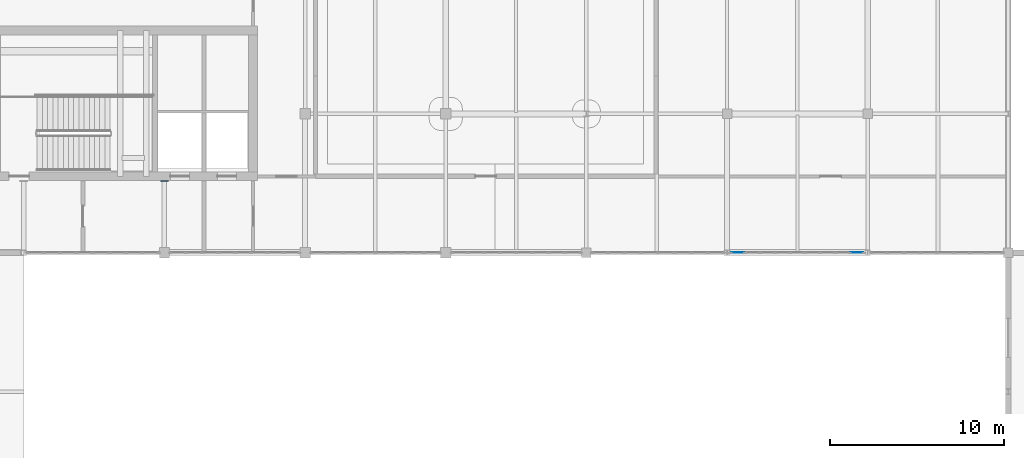
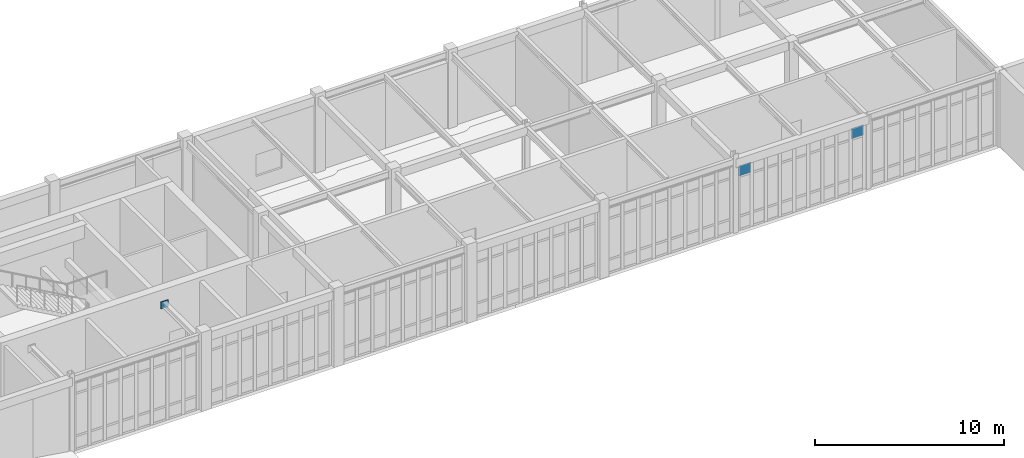
# One storey, part 58 of 70: 3 plates, 1 element without a shape of its own.
"""IFC4 building model written with IfcOpenShell, lengths in metres."""

import ifcopenshell
import ifcopenshell.guid

model = None  # the IFC model being written
_history = None  # IfcOwnerHistory: only IFC2X3 demands one
_inside = {}  # id of a spatial element -> (the spatial element, [elements in it])
_under = {}  # id of a project, library or spatial element -> (it, [spatial elements below it])
_declared = {}  # id of a project -> (the project, [libraries it declares])
_typed = {}  # id of a type object -> (the type object, [elements of that type])
_made_of = {}  # id of a material, layer set ... -> (it, [elements and type objects made of it])


def new_model(schema):
    """Start an empty IFC model of exactly this schema.

    Asked for "IFC4X3", IfcOpenShell would pick the latest addendum, in which some entities
    have other attributes; the version numbers below select the first issue.
    IFC2X3 requires an IfcOwnerHistory on every rooted entity: one is made here for all.
    """
    global model, _history
    if schema == "IFC4X3":
        model = ifcopenshell.file(schema_version=(4, 3, 0, 0))
    else:
        model = ifcopenshell.file(schema=schema)
    _inside.clear()
    _under.clear()
    _declared.clear()
    _typed.clear()
    _made_of.clear()
    _history = None
    if model.schema == "IFC2X3":
        org = make("IfcOrganization", Name="unknown")
        user = make(
            "IfcPersonAndOrganization",
            ThePerson=make("IfcPerson", FamilyName="unknown"),
            TheOrganization=org,
        )
        app = make(
            "IfcApplication",
            ApplicationDeveloper=org,
            Version="unknown",
            ApplicationFullName="unknown",
            ApplicationIdentifier="unknown",
        )
        _history = make(
            "IfcOwnerHistory",
            OwningUser=user,
            OwningApplication=app,
            ChangeAction="ADDED",
            CreationDate=0,
        )
    return model


def make(cls, **values):
    """One entity of the class cls with the attributes given. An attribute that is None is left unset."""
    return model.create_entity(
        cls, **{name: value for name, value in values.items() if value is not None}
    )


def rooted(cls, **values):
    """An entity with a GlobalId (a new one), such as an element, a storey or a relation."""
    return make(cls, GlobalId=ifcopenshell.guid.new(), OwnerHistory=_history, **values)


def si_unit(unit_type, name, prefix=None):
    """IfcSIUnit, for example si_unit("LENGTHUNIT", "METRE", prefix="MILLI")."""
    return make("IfcSIUnit", UnitType=unit_type, Prefix=prefix, Name=name)


def assignment(units):
    """IfcUnitAssignment: the units of a project."""
    return None if units is None else make("IfcUnitAssignment", Units=units)


def point(xyz):
    """IfcCartesianPoint."""
    return None if xyz is None else make("IfcCartesianPoint", Coordinates=xyz)


def direction(xyz):
    """IfcDirection."""
    return None if xyz is None else make("IfcDirection", DirectionRatios=xyz)


def frame(location, z_axis=None, x_axis=None):
    """IfcAxis2Placement3D, a coordinate frame: its origin and axes. An axis left out is left unset."""
    return make(
        "IfcAxis2Placement3D",
        Location=point(location),
        Axis=direction(z_axis),
        RefDirection=direction(x_axis),
    )


def frame_2d(location, x_axis=None):
    """IfcAxis2Placement2D, a coordinate frame in the plane: its origin and x axis."""
    return make(
        "IfcAxis2Placement2D", Location=point(location), RefDirection=direction(x_axis)
    )


def origin():
    """The frame at (0, 0, 0) with its axes left unset."""
    return frame((0.0, 0.0, 0.0))


def origin_2d():
    """The frame at (0, 0) in the plane with its x axis left unset."""
    return frame_2d((0.0, 0.0))


def place(relative_to, where):
    """IfcLocalPlacement: puts the frame where relative to a parent placement (None: the world)."""
    return make(
        "IfcLocalPlacement", PlacementRelTo=relative_to, RelativePlacement=where
    )


def context(
    kind, dimensions, precision=None, world=None, true_north=None, identifier=None
):
    """IfcGeometricRepresentationContext, for example the 3D "Model" context."""
    return make(
        "IfcGeometricRepresentationContext",
        ContextIdentifier=identifier,
        ContextType=kind,
        CoordinateSpaceDimension=dimensions,
        Precision=precision,
        WorldCoordinateSystem=world,
        TrueNorth=true_north,
    )


def subcontext(parent, identifier, kind, view, scale=None):
    """IfcGeometricRepresentationSubContext, for example "Body" below "Model"."""
    return make(
        "IfcGeometricRepresentationSubContext",
        ContextIdentifier=identifier,
        ContextType=kind,
        ParentContext=parent,
        TargetScale=scale,
        TargetView=view,
    )


def project(units=None, contexts=None):
    """IfcProject with its units and contexts."""
    return rooted(
        "IfcProject",
        Name="project",
        RepresentationContexts=contexts,
        UnitsInContext=assignment(units),
    )


def spatial(cls, under=None, at=None, **own):
    """A site, building, storey or space (cls), placed at a placement, below another one or the project."""
    s = rooted(cls, ObjectPlacement=at, **own)
    if under is not None:
        _under.setdefault(under.id(), (under, []))[1].append(s)
    return s


def profile(cls, at=None, kind="AREA", **sizes):
    """A parametric profile (cls). Its sizes go by their IFC names, for example OverallWidth=200.0."""
    return make(cls, ProfileType=kind, Position=at, **sizes)


def rectangle(**sizes):
    """IfcRectangleProfileDef."""
    return profile("IfcRectangleProfileDef", **sizes)


def extrude(swept, where, along, depth):
    """IfcExtrudedAreaSolid: the profile swept, set in the frame where, extruded along a direction by depth."""
    return make(
        "IfcExtrudedAreaSolid",
        SweptArea=swept,
        Position=where,
        ExtrudedDirection=direction(along),
        Depth=depth,
    )


def shape(context_of_items, identifier, shape_type, items):
    """IfcShapeRepresentation: the items that make up one representation, for example the "Body"."""
    return make(
        "IfcShapeRepresentation",
        ContextOfItems=context_of_items,
        RepresentationIdentifier=identifier,
        RepresentationType=shape_type,
        Items=items,
    )


def material(Name=None, Category=None):
    """IfcMaterial."""
    return make("IfcMaterial", Name=Name, Category=Category)


def layer(
    of_material, thickness, ventilated=None, Name=None, Category=None, Priority=None
):
    """IfcMaterialLayer: one layer of a wall or slab, of a material (None: an air gap)."""
    return make(
        "IfcMaterialLayer",
        Material=of_material,
        LayerThickness=thickness,
        IsVentilated=ventilated,
        Name=Name,
        Category=Category,
        Priority=Priority,
    )


def layer_set(layers, Name=None):
    """IfcMaterialLayerSet."""
    return make("IfcMaterialLayerSet", MaterialLayers=layers, LayerSetName=Name)


def made_of(thing, what):
    """Note that an element or type object is made of a material, layer set ...; save() writes the relation."""
    if what is not None:
        _made_of.setdefault(what.id(), (what, []))[1].append(thing)
    return thing


def type_object(cls, material=None, **own):
    """A type object (cls), such as IfcWallType, which elements share."""
    return made_of(rooted(cls, **own), material)


def element(
    cls,
    number,
    at=None,
    inside=None,
    cuts=None,
    type_object=None,
    material=None,
    context=None,
    identifier="Body",
    shape_type=None,
    held_by="IfcProductDefinitionShape",
    body=None,
    shapes=None,
    **own,
):
    """One element of the class cls, such as IfcWall. Its Tag is "e" and its number.

    at: its placement. inside: the storey or other place that contains it. cuts: it is an
    opening in that element (IfcRelVoidsElement). A single representation is given by context,
    identifier, shape_type and body (its items); several are given by shapes. held_by: the class
    of the entity that holds the representations. save() writes the other relations.
    """
    e = rooted(cls, Tag="e%d" % number, ObjectPlacement=at, **own)
    if body is not None:
        shapes = [shape(context, identifier, shape_type, body)]
    if shapes is not None:
        e.Representation = make(held_by, Representations=shapes)
    if inside is not None:
        _inside.setdefault(inside.id(), (inside, []))[1].append(e)
    if cuts is not None:
        rooted(
            "IfcRelVoidsElement", RelatingBuildingElement=cuts, RelatedOpeningElement=e
        )
    if type_object is not None:
        _typed.setdefault(type_object.id(), (type_object, []))[1].append(e)
    return made_of(e, material)


def aggregate(whole, parts):
    """IfcRelAggregates: a whole, such as a stair, and the parts it consists of."""
    return rooted("IfcRelAggregates", RelatingObject=whole, RelatedObjects=parts)


def save(model, path):
    """Write the relations noted so far, then the file.

    IfcRelAggregates (storeys below a building ...), IfcRelContainedInSpatialStructure (elements
    in a storey), IfcRelDefinesByType, IfcRelAssociatesMaterial and IfcRelDeclares: one each for
    every whole, place, type object, material and project.
    """
    for whole, parts in _under.values():
        aggregate(whole, parts)
    for where, things in _inside.values():
        rooted(
            "IfcRelContainedInSpatialStructure",
            RelatedElements=things,
            RelatingStructure=where,
        )
    for kind, things in _typed.values():
        rooted("IfcRelDefinesByType", RelatedObjects=things, RelatingType=kind)
    for what, things in _made_of.values():
        rooted("IfcRelAssociatesMaterial", RelatedObjects=things, RelatingMaterial=what)
    for by, libraries in _declared.values():
        rooted("IfcRelDeclares", RelatingContext=by, RelatedDefinitions=libraries)
    model.write(path)


model = new_model("IFC4")

# Units and contexts
model_context = context("Model", 3, precision=1e-05, world=origin(), true_north=direction((0.0, 1.0)))
body_context = subcontext(model_context, "Body", "Model", "MODEL_VIEW")
ifc_project = project(units=[si_unit("LENGTHUNIT", "METRE"), si_unit("AREAUNIT", "SQUARE_METRE"), si_unit("VOLUMEUNIT", "CUBIC_METRE"), si_unit("PLANEANGLEUNIT", "RADIAN"), si_unit("MASSUNIT", "GRAM", prefix="KILO")], contexts=[model_context])

# Site, building, storey
site_placement = place(None, origin())
site = spatial("IfcSite", under=ifc_project, at=site_placement, CompositionType="ELEMENT")
building_placement = place(site_placement, origin())
building = spatial("IfcBuilding", under=site, at=building_placement, Name="Tarnveldt Square Police Headquarters", CompositionType="ELEMENT")
storey_placement = place(building_placement, frame((0.0, 0.0, 19.800048828125)))
storey = spatial("IfcBuildingStorey", under=building, at=storey_placement, Name="L04", CompositionType="ELEMENT", Elevation=19.800048828125)

# Curtain wall, plates
ifc_material_1 = material(Name="Triple-glazed low-e laminated vision glass", Category="glass")
curtain_wall_type = type_object("IfcCurtainWallType", Name="CW-LB-776x420", PredefinedType="USERDEFINED", material=ifc_material_1)
curtain_wall_placement = place(storey_placement, origin())
curtain_wall = element("IfcCurtainWall", 1, at=curtain_wall_placement, inside=storey, type_object=curtain_wall_type, Name="L04 Curtain Wall CW-L04-131", ObjectType="GLAZED CURTAIN WALL", PredefinedType="USERDEFINED")
ifc_layer_1 = layer(ifc_material_1, 0.028076171875)
ifc_layer_set_1 = layer_set([ifc_layer_1], Name="Triple-glazed low-e laminated vision glass")
plate_type_1 = type_object("IfcPlateType", Name="CWP-VIS-28", PredefinedType="CURTAIN_PANEL", material=ifc_layer_set_1)
plate_1_placement = place(storey_placement, frame((89.718994140625, 96.0, 3.484375), z_axis=(0.0, 0.0, 1.0), x_axis=(1.0, 0.0, 0.0)))
plate_1 = element("IfcPlate", 2, at=plate_1_placement, type_object=plate_type_1, Name="CW-LB79 panel 1.3", PredefinedType="CURTAIN_PANEL", context=body_context, shape_type="SweptSolid", body=[
    extrude(rectangle(XDim=0.75, YDim=0.028076171875, at=origin_2d()), origin(), (0.0, 0.0, 1.0), 0.652587890625),
])
plate_2_placement = place(storey_placement, frame((96.5810546875, 96.0, 3.484375), z_axis=(0.0, 0.0, 1.0), x_axis=(1.0, 0.0, 0.0)))
plate_2 = element("IfcPlate", 3, at=plate_2_placement, type_object=plate_type_1, Name="CW-LB79 panel 9.3", PredefinedType="CURTAIN_PANEL", context=body_context, shape_type="SweptSolid", body=[
    extrude(rectangle(XDim=0.75, YDim=0.028076171875, at=origin_2d()), origin(), (0.0, 0.0, 1.0), 0.652587890625),
])
aggregate(curtain_wall, [plate_1, plate_2])

# Plate
ifc_material_2 = material(Name="Steel 350W", Category="steel")
ifc_layer_2 = layer(ifc_material_2, 0.0380859375)
ifc_layer_set_2 = layer_set([ifc_layer_2], Name="Steel 350W")
plate_type_2 = type_object("IfcPlateType", Name="PLT-END-38", PredefinedType="SHEET", material=ifc_layer_set_2)
plate_3_placement = place(storey_placement, frame((56.699951171875, 100.131103515625, 3.9248046875), z_axis=(0.0, 0.0, 1.0), x_axis=(1.0, 0.0, 0.0)))
element("IfcPlate", 4, at=plate_3_placement, inside=storey, type_object=plate_type_2, Name="Core K3 Shear Wall CW2 Bolted Truss Anchor End Plate EP1 L04.3", PredefinedType="SHEET", context=body_context, shape_type="SweptSolid", body=[
    extrude(rectangle(XDim=0.449951171875, YDim=0.0380859375, at=origin_2d()), origin(), (0.0, 0.0, 1.0), 0.449951171875),
])

save(model, "model.ifc")
